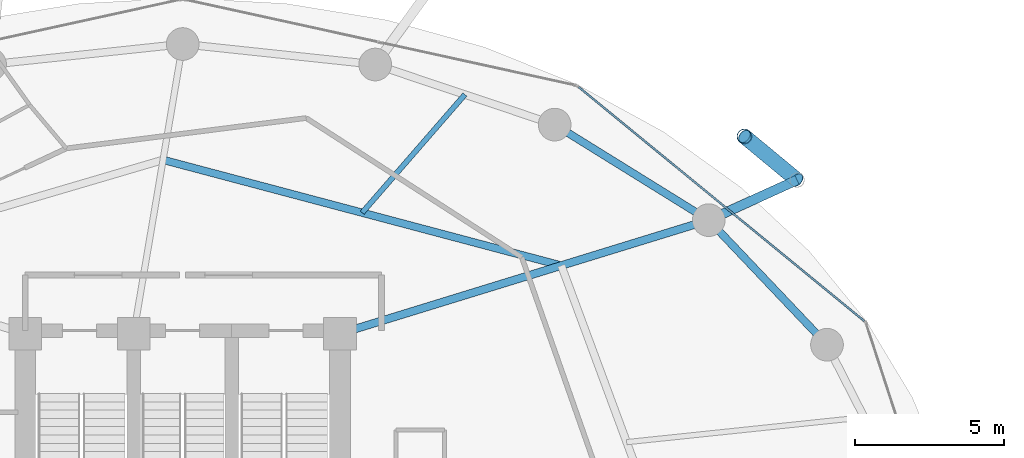
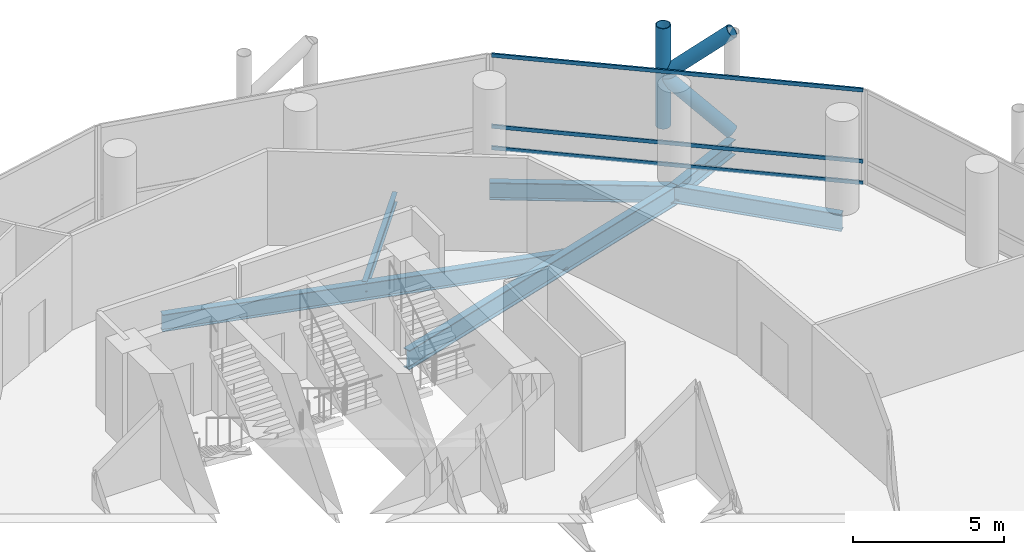
# One storey, part 17 of 24: 6 beams, 6 members, 1 element without a shape of its own.
"""IFC4 building model written with IfcOpenShell, lengths in metres."""

import ifcopenshell
import ifcopenshell.guid

model = None  # the IFC model being written
_history = None  # IfcOwnerHistory: only IFC2X3 demands one
_inside = {}  # id of a spatial element -> (the spatial element, [elements in it])
_under = {}  # id of a project, library or spatial element -> (it, [spatial elements below it])
_declared = {}  # id of a project -> (the project, [libraries it declares])
_typed = {}  # id of a type object -> (the type object, [elements of that type])
_made_of = {}  # id of a material, layer set ... -> (it, [elements and type objects made of it])


def new_model(schema):
    """Start an empty IFC model of exactly this schema.

    Asked for "IFC4X3", IfcOpenShell would pick the latest addendum, in which some entities
    have other attributes; the version numbers below select the first issue.
    IFC2X3 requires an IfcOwnerHistory on every rooted entity: one is made here for all.
    """
    global model, _history
    if schema == "IFC4X3":
        model = ifcopenshell.file(schema_version=(4, 3, 0, 0))
    else:
        model = ifcopenshell.file(schema=schema)
    _inside.clear()
    _under.clear()
    _declared.clear()
    _typed.clear()
    _made_of.clear()
    _history = None
    if model.schema == "IFC2X3":
        org = make("IfcOrganization", Name="unknown")
        user = make(
            "IfcPersonAndOrganization",
            ThePerson=make("IfcPerson", FamilyName="unknown"),
            TheOrganization=org,
        )
        app = make(
            "IfcApplication",
            ApplicationDeveloper=org,
            Version="unknown",
            ApplicationFullName="unknown",
            ApplicationIdentifier="unknown",
        )
        _history = make(
            "IfcOwnerHistory",
            OwningUser=user,
            OwningApplication=app,
            ChangeAction="ADDED",
            CreationDate=0,
        )
    return model


def make(cls, **values):
    """One entity of the class cls with the attributes given. An attribute that is None is left unset."""
    return model.create_entity(
        cls, **{name: value for name, value in values.items() if value is not None}
    )


def rooted(cls, **values):
    """An entity with a GlobalId (a new one), such as an element, a storey or a relation."""
    return make(cls, GlobalId=ifcopenshell.guid.new(), OwnerHistory=_history, **values)


def si_unit(unit_type, name, prefix=None):
    """IfcSIUnit, for example si_unit("LENGTHUNIT", "METRE", prefix="MILLI")."""
    return make("IfcSIUnit", UnitType=unit_type, Prefix=prefix, Name=name)


def assignment(units):
    """IfcUnitAssignment: the units of a project."""
    return None if units is None else make("IfcUnitAssignment", Units=units)


def point(xyz):
    """IfcCartesianPoint."""
    return None if xyz is None else make("IfcCartesianPoint", Coordinates=xyz)


def direction(xyz):
    """IfcDirection."""
    return None if xyz is None else make("IfcDirection", DirectionRatios=xyz)


def frame(location, z_axis=None, x_axis=None):
    """IfcAxis2Placement3D, a coordinate frame: its origin and axes. An axis left out is left unset."""
    return make(
        "IfcAxis2Placement3D",
        Location=point(location),
        Axis=direction(z_axis),
        RefDirection=direction(x_axis),
    )


def frame_2d(location, x_axis=None):
    """IfcAxis2Placement2D, a coordinate frame in the plane: its origin and x axis."""
    return make(
        "IfcAxis2Placement2D", Location=point(location), RefDirection=direction(x_axis)
    )


def origin():
    """The frame at (0, 0, 0) with its axes left unset."""
    return frame((0.0, 0.0, 0.0))


def origin_2d():
    """The frame at (0, 0) in the plane with its x axis left unset."""
    return frame_2d((0.0, 0.0))


def place(relative_to, where):
    """IfcLocalPlacement: puts the frame where relative to a parent placement (None: the world)."""
    return make(
        "IfcLocalPlacement", PlacementRelTo=relative_to, RelativePlacement=where
    )


def context(
    kind, dimensions, precision=None, world=None, true_north=None, identifier=None
):
    """IfcGeometricRepresentationContext, for example the 3D "Model" context."""
    return make(
        "IfcGeometricRepresentationContext",
        ContextIdentifier=identifier,
        ContextType=kind,
        CoordinateSpaceDimension=dimensions,
        Precision=precision,
        WorldCoordinateSystem=world,
        TrueNorth=true_north,
    )


def subcontext(parent, identifier, kind, view, scale=None):
    """IfcGeometricRepresentationSubContext, for example "Body" below "Model"."""
    return make(
        "IfcGeometricRepresentationSubContext",
        ContextIdentifier=identifier,
        ContextType=kind,
        ParentContext=parent,
        TargetScale=scale,
        TargetView=view,
    )


def project(units=None, contexts=None):
    """IfcProject with its units and contexts."""
    return rooted(
        "IfcProject",
        Name="project",
        RepresentationContexts=contexts,
        UnitsInContext=assignment(units),
    )


def spatial(cls, under=None, at=None, **own):
    """A site, building, storey or space (cls), placed at a placement, below another one or the project."""
    s = rooted(cls, ObjectPlacement=at, **own)
    if under is not None:
        _under.setdefault(under.id(), (under, []))[1].append(s)
    return s


def profile(cls, at=None, kind="AREA", **sizes):
    """A parametric profile (cls). Its sizes go by their IFC names, for example OverallWidth=200.0."""
    return make(cls, ProfileType=kind, Position=at, **sizes)


def hollow_rectangle(**sizes):
    """IfcRectangleHollowProfileDef."""
    return profile("IfcRectangleHollowProfileDef", **sizes)


def hollow_circle(**sizes):
    """IfcCircleHollowProfileDef."""
    return profile("IfcCircleHollowProfileDef", **sizes)


def i_section(**sizes):
    """IfcIShapeProfileDef."""
    return profile("IfcIShapeProfileDef", **sizes)


def extrude(swept, where, along, depth):
    """IfcExtrudedAreaSolid: the profile swept, set in the frame where, extruded along a direction by depth."""
    return make(
        "IfcExtrudedAreaSolid",
        SweptArea=swept,
        Position=where,
        ExtrudedDirection=direction(along),
        Depth=depth,
    )


def shape(context_of_items, identifier, shape_type, items):
    """IfcShapeRepresentation: the items that make up one representation, for example the "Body"."""
    return make(
        "IfcShapeRepresentation",
        ContextOfItems=context_of_items,
        RepresentationIdentifier=identifier,
        RepresentationType=shape_type,
        Items=items,
    )


def material(Name=None, Category=None):
    """IfcMaterial."""
    return make("IfcMaterial", Name=Name, Category=Category)


def layer(
    of_material, thickness, ventilated=None, Name=None, Category=None, Priority=None
):
    """IfcMaterialLayer: one layer of a wall or slab, of a material (None: an air gap)."""
    return make(
        "IfcMaterialLayer",
        Material=of_material,
        LayerThickness=thickness,
        IsVentilated=ventilated,
        Name=Name,
        Category=Category,
        Priority=Priority,
    )


def layer_set(layers, Name=None):
    """IfcMaterialLayerSet."""
    return make("IfcMaterialLayerSet", MaterialLayers=layers, LayerSetName=Name)


def material_profile(
    of_material, cross_section, Name=None, Category=None, Priority=None
):
    """IfcMaterialProfile: a cross section and its material."""
    return make(
        "IfcMaterialProfile",
        Name=Name,
        Material=of_material,
        Profile=cross_section,
        Priority=Priority,
        Category=Category,
    )


def profile_set(profiles, Name=None, composite=None):
    """IfcMaterialProfileSet."""
    return make(
        "IfcMaterialProfileSet",
        Name=Name,
        MaterialProfiles=profiles,
        CompositeProfile=composite,
    )


def made_of(thing, what):
    """Note that an element or type object is made of a material, layer set ...; save() writes the relation."""
    if what is not None:
        _made_of.setdefault(what.id(), (what, []))[1].append(thing)
    return thing


def type_object(cls, material=None, **own):
    """A type object (cls), such as IfcWallType, which elements share."""
    return made_of(rooted(cls, **own), material)


def element(
    cls,
    number,
    at=None,
    inside=None,
    cuts=None,
    type_object=None,
    material=None,
    context=None,
    identifier="Body",
    shape_type=None,
    held_by="IfcProductDefinitionShape",
    body=None,
    shapes=None,
    **own,
):
    """One element of the class cls, such as IfcWall. Its Tag is "e" and its number.

    at: its placement. inside: the storey or other place that contains it. cuts: it is an
    opening in that element (IfcRelVoidsElement). A single representation is given by context,
    identifier, shape_type and body (its items); several are given by shapes. held_by: the class
    of the entity that holds the representations. save() writes the other relations.
    """
    e = rooted(cls, Tag="e%d" % number, ObjectPlacement=at, **own)
    if body is not None:
        shapes = [shape(context, identifier, shape_type, body)]
    if shapes is not None:
        e.Representation = make(held_by, Representations=shapes)
    if inside is not None:
        _inside.setdefault(inside.id(), (inside, []))[1].append(e)
    if cuts is not None:
        rooted(
            "IfcRelVoidsElement", RelatingBuildingElement=cuts, RelatedOpeningElement=e
        )
    if type_object is not None:
        _typed.setdefault(type_object.id(), (type_object, []))[1].append(e)
    return made_of(e, material)


def aggregate(whole, parts):
    """IfcRelAggregates: a whole, such as a stair, and the parts it consists of."""
    return rooted("IfcRelAggregates", RelatingObject=whole, RelatedObjects=parts)


def save(model, path):
    """Write the relations noted so far, then the file.

    IfcRelAggregates (storeys below a building ...), IfcRelContainedInSpatialStructure (elements
    in a storey), IfcRelDefinesByType, IfcRelAssociatesMaterial and IfcRelDeclares: one each for
    every whole, place, type object, material and project.
    """
    for whole, parts in _under.values():
        aggregate(whole, parts)
    for where, things in _inside.values():
        rooted(
            "IfcRelContainedInSpatialStructure",
            RelatedElements=things,
            RelatingStructure=where,
        )
    for kind, things in _typed.values():
        rooted("IfcRelDefinesByType", RelatedObjects=things, RelatingType=kind)
    for what, things in _made_of.values():
        rooted("IfcRelAssociatesMaterial", RelatedObjects=things, RelatingMaterial=what)
    for by, libraries in _declared.values():
        rooted("IfcRelDeclares", RelatingContext=by, RelatedDefinitions=libraries)
    model.write(path)


model = new_model("IFC4")

# Units and contexts
model_context = context("Model", 3, precision=1e-05, world=origin(), true_north=direction((0.0, 1.0)))
body_context = subcontext(model_context, "Body", "Model", "MODEL_VIEW")
ifc_project = project(units=[si_unit("LENGTHUNIT", "METRE"), si_unit("AREAUNIT", "SQUARE_METRE"), si_unit("VOLUMEUNIT", "CUBIC_METRE"), si_unit("PLANEANGLEUNIT", "RADIAN"), si_unit("MASSUNIT", "GRAM", prefix="KILO")], contexts=[model_context])

# Site, building, storey
site_placement = place(None, origin())
site = spatial("IfcSite", under=ifc_project, at=site_placement, CompositionType="ELEMENT")
building_placement = place(site_placement, origin())
building = spatial("IfcBuilding", under=site, at=building_placement, Name="Nuhasar Tower", CompositionType="ELEMENT")
storey_placement = place(building_placement, frame((0.0, 0.0, 81.75)))
storey = spatial("IfcBuildingStorey", under=building, at=storey_placement, Name="L19", CompositionType="ELEMENT", Elevation=81.75)

# Beams
ifc_material_1 = material(Name="Steel S355", Category="steel")
ifc_material_profile_1 = material_profile(ifc_material_1, i_section(OverallWidth=0.25390625, OverallDepth=0.68408203125, WebThickness=0.012451171875, FlangeThickness=0.018798828125, at=origin_2d()), Name="W27X94")
ifc_profile_set_1 = profile_set([ifc_material_profile_1], Name="Steel S355")
beam_type_1 = type_object("IfcBeamType", Name="BM-INRING-W27X94", PredefinedType="BEAM", material=ifc_profile_set_1)
beam_1_placement = place(storey_placement, frame((51.748046875, 39.591064453125, -0.592041015625), z_axis=(-0.96653253005, 0.256544086574, 0.0), x_axis=(-0.256544086574, -0.96653253005, 0.0)))
element("IfcBeam", 1, at=beam_1_placement, inside=storey, type_object=beam_type_1, Name="L19 Inner Header Beam 05", PredefinedType="BEAM", context=body_context, shape_type="SweptSolid", body=[
    extrude(i_section(OverallWidth=0.25390625, OverallDepth=0.68408203125, WebThickness=0.012451171875, FlangeThickness=0.018798828125, at=origin_2d()), origin(), (0.0, 0.0, 1.0), 13.872314453125),
])
ifc_material_profile_2 = material_profile(ifc_material_1, i_section(OverallWidth=0.177978515625, OverallDepth=0.406005859375, WebThickness=0.0078125, FlangeThickness=0.0126953125, at=origin_2d()), Name="W16X40")
ifc_profile_set_2 = profile_set([ifc_material_profile_2], Name="Steel S355")
beam_type_2 = type_object("IfcBeamType", Name="BM-JST-W16X40", PredefinedType="JOIST", material=ifc_profile_set_2)
beam_2_placement = place(storey_placement, frame((45.0439453125, 41.3701171875, -0.452880859375), z_axis=(0.656174129694, 0.754609509296, 0.0), x_axis=(-0.754609509296, 0.656174129694, 0.0)))
element("IfcBeam", 2, at=beam_2_placement, inside=storey, type_object=beam_type_2, Name="L19 Secondary Floor Joist 05", PredefinedType="JOIST", context=body_context, shape_type="SweptSolid", body=[
    extrude(i_section(OverallWidth=0.177978515625, OverallDepth=0.406005859375, WebThickness=0.0078125, FlangeThickness=0.0126953125, at=origin_2d()), origin(), (0.0, 0.0, 1.0), 5.27294921875),
])
ifc_material_profile_3 = material_profile(ifc_material_1, i_section(OverallWidth=0.26611328125, OverallDepth=0.779052734375, WebThickness=0.0166015625, FlangeThickness=0.030029296875, at=origin_2d()), Name="W30X148")
ifc_profile_set_3 = profile_set([ifc_material_profile_3], Name="Steel S355")
beam_type_3 = type_object("IfcBeamType", Name="BM-RAD-W30X148", PredefinedType="BEAM", material=ifc_profile_set_3)
beam_3_placement = place(storey_placement, frame((44.300048828125, 37.300048828125, -0.638916015625), z_axis=(0.955789576103, 0.294051502653, 0.0), x_axis=(-0.294051502653, 0.955789576103, 0.0)))
element("IfcBeam", 3, at=beam_3_placement, inside=storey, type_object=beam_type_3, Name="L19 Radial Floor Girder 05", PredefinedType="BEAM", context=body_context, shape_type="SweptSolid", body=[
    extrude(i_section(OverallWidth=0.26611328125, OverallDepth=0.779052734375, WebThickness=0.0166015625, FlangeThickness=0.030029296875, at=origin_2d()), origin(), (0.0, 0.0, 1.0), 12.987060546875),
])
ifc_material_profile_4 = material_profile(ifc_material_1, i_section(OverallWidth=0.256103515625, OverallDepth=0.693115234375, WebThickness=0.014404296875, FlangeThickness=0.023681640625, at=origin_2d()), Name="W27X114")
ifc_profile_set_4 = profile_set([ifc_material_profile_4], Name="Steel S355")
beam_type_4 = type_object("IfcBeamType", Name="BM-RING-W27X114", PredefinedType="SPANDREL", material=ifc_profile_set_4)
beam_4_placement = place(storey_placement, frame((60.694091796875, 36.925048828125, -0.596923828125), z_axis=(-0.688480893507, 0.725254478976, 0.0), x_axis=(-0.725254478976, -0.688480893507, 0.0)))
element("IfcBeam", 4, at=beam_4_placement, inside=storey, type_object=beam_type_4, Name="L19 Perimeter Ring Spandrel 03", PredefinedType="SPANDREL", context=body_context, shape_type="SweptSolid", body=[
    extrude(i_section(OverallWidth=0.256103515625, OverallDepth=0.693115234375, WebThickness=0.014404296875, FlangeThickness=0.023681640625, at=origin_2d()), origin(), (0.0, 0.0, 1.0), 5.782470703125),
])
beam_5_placement = place(storey_placement, frame((56.712890625, 41.118896484375, -0.596923828125), z_axis=(-0.849795216549, 0.527112976439, 0.0), x_axis=(-0.527112976439, -0.849795216549, 0.0)))
element("IfcBeam", 5, at=beam_5_placement, inside=storey, type_object=beam_type_4, Name="L19 Perimeter Ring Spandrel 04", PredefinedType="SPANDREL", context=body_context, shape_type="SweptSolid", body=[
    extrude(i_section(OverallWidth=0.256103515625, OverallDepth=0.693115234375, WebThickness=0.014404296875, FlangeThickness=0.023681640625, at=origin_2d()), origin(), (0.0, 0.0, 1.0), 6.10498046875),
])
ifc_material_profile_5 = material_profile(ifc_material_1, i_section(OverallWidth=0.323974609375, OverallDepth=0.611083984375, WebThickness=0.0126953125, FlangeThickness=0.01904296875, at=origin_2d()), Name="W24X104")
ifc_profile_set_5 = profile_set([ifc_material_profile_5], Name="Steel S355")
beam_type_5 = type_object("IfcBeamType", Name="BM-TIE-W24X104", PredefinedType="BEAM", material=ifc_profile_set_5)
beam_6_placement = place(storey_placement, frame((56.712890625, 41.118896484375, -0.554931640625), z_axis=(0.910243528587, 0.414073325227, 0.0), x_axis=(-0.414073325227, 0.910243528587, 0.0)))
element("IfcBeam", 6, at=beam_6_placement, inside=storey, type_object=beam_type_5, Name="L19 Exoskeleton Node Tie Beam 02", PredefinedType="BEAM", context=body_context, shape_type="SweptSolid", body=[
    extrude(i_section(OverallWidth=0.323974609375, OverallDepth=0.611083984375, WebThickness=0.0126953125, FlangeThickness=0.01904296875, at=origin_2d()), origin(), (0.0, 0.0, 1.0), 3.26513671875),
])

# Curtain wall, members
ifc_material_2 = material(Name="Aluminium 6063-T6", Category="aluminium")
ifc_layer = layer(ifc_material_2, 0.199951171875)
ifc_layer_set = layer_set([ifc_layer], Name="Aluminium 6063-T6")
curtain_wall_type = type_object("IfcCurtainWallType", Name="CW-Z1-OFF", PredefinedType="NOTDEFINED", material=ifc_layer_set)
curtain_wall_placement = place(storey_placement, origin())
curtain_wall = element("IfcCurtainWall", 7, at=curtain_wall_placement, inside=storey, type_object=curtain_wall_type, Name="L19 Unitised Curtain Wall 02", PredefinedType="NOTDEFINED")
ifc_material_profile_6 = material_profile(ifc_material_2, hollow_rectangle(XDim=0.06494140625, YDim=0.14990234375, WallThickness=0.00439453125, at=origin_2d()), Name="CWT-2")
ifc_profile_set_6 = profile_set([ifc_material_profile_6], Name="Aluminium 6063-T6")
member_type_1 = type_object("IfcMemberType", Name="CW-TRN-S2", PredefinedType="USERDEFINED", material=ifc_profile_set_6)
member_1_placement = place(storey_placement, frame((61.95166015625, 37.72119140625, 0.032470703125), z_axis=(-0.773540851599, 0.633746440548, 0.0), x_axis=(-0.633746440548, -0.773540851599, 0.0)))
member_1 = element("IfcMember", 8, at=member_1_placement, type_object=member_type_1, Name="CW-Z1 transom 1.1", ObjectType="TRANSOM", PredefinedType="USERDEFINED", context=body_context, shape_type="SweptSolid", body=[
    extrude(hollow_rectangle(XDim=0.06494140625, YDim=0.14990234375, WallThickness=0.00439453125, at=origin_2d()), origin(), (0.0, 0.0, 1.0), 12.43798828125),
])
member_2_placement = place(storey_placement, frame((61.95166015625, 37.72119140625, 0.89990234375), z_axis=(-0.773540851599, 0.633746440548, 0.0), x_axis=(-0.633746440548, -0.773540851599, 0.0)))
member_2 = element("IfcMember", 9, at=member_2_placement, type_object=member_type_1, Name="CW-Z1 transom 1.2", ObjectType="TRANSOM", PredefinedType="USERDEFINED", context=body_context, shape_type="SweptSolid", body=[
    extrude(hollow_rectangle(XDim=0.06494140625, YDim=0.14990234375, WallThickness=0.00439453125, at=origin_2d()), origin(), (0.0, 0.0, 1.0), 12.43798828125),
])
member_3_placement = place(storey_placement, frame((61.95166015625, 37.72119140625, 3.767578125), z_axis=(-0.773540851599, 0.633746440548, 0.0), x_axis=(-0.633746440548, -0.773540851599, 0.0)))
member_3 = element("IfcMember", 10, at=member_3_placement, type_object=member_type_1, Name="CW-Z1 transom 1.3", ObjectType="TRANSOM", PredefinedType="USERDEFINED", context=body_context, shape_type="SweptSolid", body=[
    extrude(hollow_rectangle(XDim=0.06494140625, YDim=0.14990234375, WallThickness=0.00439453125, at=origin_2d()), origin(), (0.0, 0.0, 1.0), 12.43798828125),
])
aggregate(curtain_wall, [member_1, member_2, member_3])

# Members
ifc_material_3 = material(Name="Steel S460", Category="steel")
ifc_material_profile_7 = material_profile(ifc_material_3, hollow_circle(Radius=0.25390625, WallThickness=0.025390625, at=origin_2d()), Name="HSS508X25.4")
ifc_profile_set_7 = profile_set([ifc_material_profile_7], Name="Steel S460")
member_type_2 = type_object("IfcMemberType", Name="EXO-BRONZE-508", PredefinedType="BRACE", material=ifc_profile_set_7)
member_4_placement = place(storey_placement, frame((57.9130859375, 43.93896484375, 0.0), z_axis=(0.0, 0.0, 1.0), x_axis=(1.0, 0.0, 0.0)))
element("IfcMember", 11, at=member_4_placement, inside=storey, type_object=member_type_2, Name="L19 Exoskeleton Chord Column EC-02B", PredefinedType="BRACE", context=body_context, shape_type="SweptSolid", body=[
    extrude(hollow_circle(Radius=0.25390625, WallThickness=0.025390625, at=origin_2d()), origin(), (0.0, 0.0, 1.0), 4.050048828125),
])
member_5_placement = place(storey_placement, frame((59.68505859375, 42.470947265625, 0.0), z_axis=(-0.578101613167, 0.478937034992, 0.660619286251), x_axis=(-0.637969333506, -0.770061769929, 0.0)))
element("IfcMember", 12, at=member_5_placement, inside=storey, type_object=member_type_2, Name="L19 Bronze Diagrid Brace W1-02", PredefinedType="BRACE", context=body_context, shape_type="SweptSolid", body=[
    extrude(hollow_circle(Radius=0.25390625, WallThickness=0.025390625, at=origin_2d()), origin(), (0.0, 0.0, 1.0), 3.065185546875),
])
member_6_placement = place(storey_placement, frame((57.9130859375, 43.93896484375, 2.02490234375), z_axis=(0.578071194894, -0.478911834514, 0.660664172175), x_axis=(0.637969333506, 0.770061769929, 0.0)))
element("IfcMember", 13, at=member_6_placement, inside=storey, type_object=member_type_2, Name="L19 Bronze Diagrid Brace W2-02", PredefinedType="BRACE", context=body_context, shape_type="SweptSolid", body=[
    extrude(hollow_circle(Radius=0.25390625, WallThickness=0.025390625, at=origin_2d()), origin(), (0.0, 0.0, 1.0), 3.0654296875),
])

save(model, "model.ifc")
